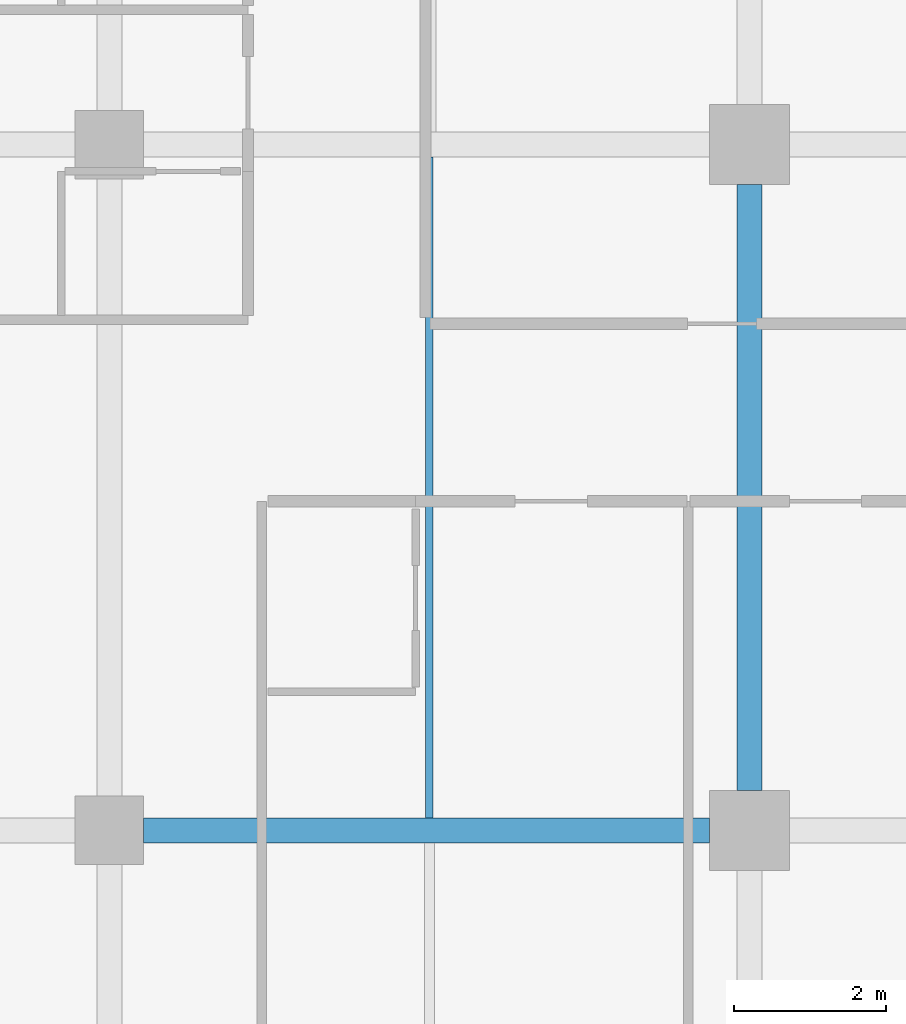
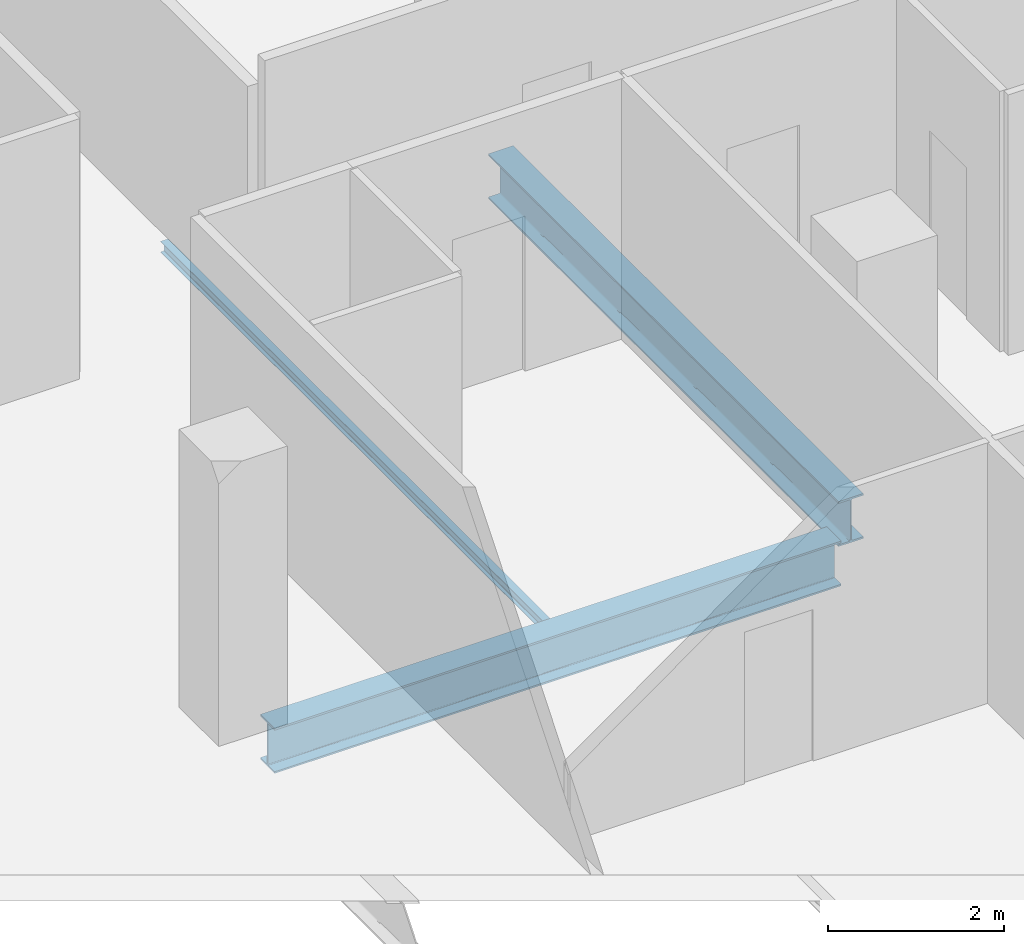
# One storey, part 6 of 40: 3 beams.
"""IFC4 building model written with IfcOpenShell, lengths in metres."""

from ifc_helpers import new_model, si_unit, direction, frame, origin, origin_2d, place, context, subcontext, project, spatial, i_section, extrude, material, material_profile, profile_set, type_object, element, save


model = new_model("IFC4")

# Units and contexts
model_context = context("Model", 3, precision=1e-05, world=origin(), true_north=direction((0.0, 1.0)))
body_context = subcontext(model_context, "Body", "Model", "MODEL_VIEW")
ifc_project = project(units=[si_unit("LENGTHUNIT", "METRE"), si_unit("AREAUNIT", "SQUARE_METRE"), si_unit("VOLUMEUNIT", "CUBIC_METRE"), si_unit("PLANEANGLEUNIT", "RADIAN"), si_unit("MASSUNIT", "GRAM", prefix="KILO")], contexts=[model_context])

# Site, building, storey
site_placement = place(None, origin())
site = spatial("IfcSite", under=ifc_project, at=site_placement, CompositionType="ELEMENT")
building_placement = place(site_placement, origin())
building = spatial("IfcBuilding", under=site, at=building_placement, Name="Maruvema Waterfront Hotel and Observation Tower", CompositionType="ELEMENT")
storey_placement = place(building_placement, frame((0.0, 0.0, 57.75)))
storey = spatial("IfcBuildingStorey", under=building, at=storey_placement, Name="L13", CompositionType="ELEMENT", Elevation=57.75)

# Beams
ifc_material_1 = material(Name="Steel ASTM A572 Grade 50", Category="steel")
ifc_material_profile_1 = material_profile(ifc_material_1, i_section(OverallWidth=0.326904296875, OverallDepth=0.6220703125, WebThickness=0.015380859375, FlangeThickness=0.0244140625, FilletRadius=0.01806640625, at=origin_2d()), Name="W610x195.0")
ifc_profile_set_1 = profile_set([ifc_material_profile_1], Name="Steel ASTM A572 Grade 50")
beam_type_1 = type_object("IfcBeamType", Name="Primary Floor Girder W610x195.0", PredefinedType="BEAM", material=ifc_profile_set_1)
beam_1_placement = place(storey_placement, frame((17.25, 9.0, -0.551025390625), z_axis=(1.0, 0.0, 0.0), x_axis=(0.0, 1.0, 0.0)))
element("IfcBeam", 1, at=beam_1_placement, inside=storey, type_object=beam_type_1, Name="L13 Floor Girder EW-07", PredefinedType="BEAM", context=body_context, shape_type="SweptSolid", body=[
    extrude(i_section(OverallWidth=0.326904296875, OverallDepth=0.6220703125, WebThickness=0.015380859375, FlangeThickness=0.0244140625, FilletRadius=0.01806640625, at=origin_2d()), origin(), (0.0, 0.0, 1.0), 7.425048828125),
])
beam_2_placement = place(storey_placement, frame((25.199951171875, 9.52490234375, -0.551025390625), z_axis=(0.0, 1.0, 0.0), x_axis=(-1.0, 0.0, 0.0)))
element("IfcBeam", 2, at=beam_2_placement, inside=storey, type_object=beam_type_1, Name="L13 Floor Girder NS-12", PredefinedType="BEAM", context=body_context, shape_type="SweptSolid", body=[
    extrude(i_section(OverallWidth=0.326904296875, OverallDepth=0.6220703125, WebThickness=0.015380859375, FlangeThickness=0.0244140625, FilletRadius=0.01806640625, at=origin_2d()), origin(), (0.0, 0.0, 1.0), 7.9501953125),
])
ifc_material_2 = material(Name="Steel ASTM A572 Grade 50", Category="steel")
ifc_material_profile_2 = material_profile(ifc_material_2, i_section(OverallWidth=0.10009765625, OverallDepth=0.153076171875, WebThickness=0.005859375, FlangeThickness=0.007080078125, FilletRadius=0.008056640625, at=origin_2d()), Name="W150x18.0")
ifc_profile_set_2 = profile_set([ifc_material_profile_2], Name="Steel ASTM A572 Grade 50")
beam_type_2 = type_object("IfcBeamType", Name="Secondary Floor Joist W150x18.0", PredefinedType="JOIST", material=ifc_profile_set_2)
beam_3_placement = place(storey_placement, frame((21.0, 9.16357421875, -0.31640625), z_axis=(0.0, 1.0, 0.0), x_axis=(-1.0, 0.0, 0.0)))
element("IfcBeam", 3, at=beam_3_placement, inside=storey, type_object=beam_type_2, Name="L13 Secondary Floor Joist JS-06", PredefinedType="JOIST", context=body_context, shape_type="SweptSolid", body=[
    extrude(i_section(OverallWidth=0.10009765625, OverallDepth=0.153076171875, WebThickness=0.005859375, FlangeThickness=0.007080078125, FilletRadius=0.008056640625, at=origin_2d()), origin(), (0.0, 0.0, 1.0), 8.6728515625),
])

save(model, "model.ifc")
